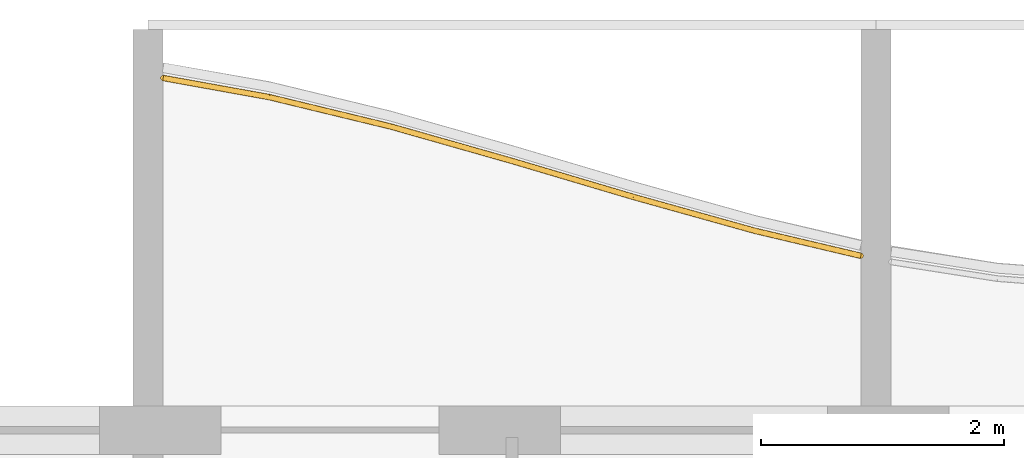
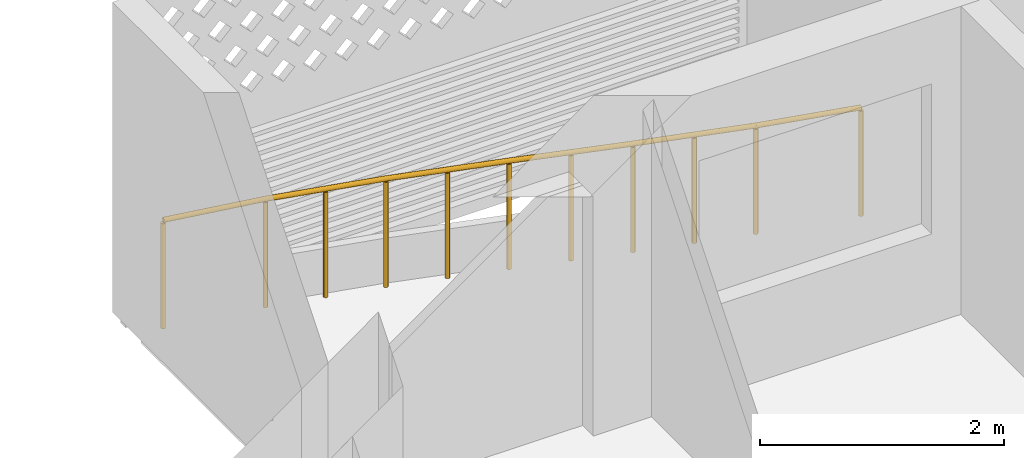
# One storey, part 21 of 28: 1 railing.
"""IFC4 building model written with IfcOpenShell, lengths in metres."""

from ifc_helpers import new_model, si_unit, direction, frame, origin, origin_2d, place, context, subcontext, project, spatial, circle, extrude, material, type_object, element, save


model = new_model("IFC4")

# Units and contexts
model_context = context("Model", 3, precision=1e-05, world=origin(), true_north=direction((0.0, 1.0)))
body_context = subcontext(model_context, "Body", "Model", "MODEL_VIEW")
ifc_project = project(units=[si_unit("LENGTHUNIT", "METRE"), si_unit("AREAUNIT", "SQUARE_METRE"), si_unit("VOLUMEUNIT", "CUBIC_METRE"), si_unit("PLANEANGLEUNIT", "RADIAN"), si_unit("MASSUNIT", "GRAM", prefix="KILO")], contexts=[model_context])

# Site, building, storey
site_placement = place(None, origin())
site = spatial("IfcSite", under=ifc_project, at=site_placement, CompositionType="ELEMENT")
building_placement = place(site_placement, origin())
building = spatial("IfcBuilding", under=site, at=building_placement, Name="Poui Terraces", CompositionType="ELEMENT")
storey_placement = place(building_placement, frame((0.0, 0.0, 185.10009765625)))
storey = spatial("IfcBuildingStorey", under=building, at=storey_placement, Name="L51", CompositionType="ELEMENT", Elevation=185.10009765625)

# Railing
ifc_material = material(Name="Painted steel fretwork", Category="steel")
railing_type = type_object("IfcRailingType", Name="BALCONY GUARD 1100", PredefinedType="GUARDRAIL", material=ifc_material)
railing_placement = place(storey_placement, frame((54.125, 44.102294921875, 0.0)))
element("IfcRailing", 1, at=railing_placement, inside=storey, type_object=railing_type, Name="BALCONY GUARD", PredefinedType="GUARDRAIL", context=body_context, shape_type="SweptSolid", body=[
    extrude(circle(Radius=0.02392578125, at=origin_2d()), frame((0.0, 0.0, 1.076171875), z_axis=(0.984141165645, -0.17738705162, 0.0), x_axis=(0.17738705162, 0.984141165645, 0.0)), (0.0, 0.0, 1.0), 0.88916015625),
    extrude(circle(Radius=0.02392578125, at=origin_2d()), frame((0.875, -0.15771484375, 1.076171875), z_axis=(0.97195702449, -0.235158547673, 0.0), x_axis=(0.235158547673, 0.97195702449, 0.0)), (0.0, 0.0, 1.0), 1.02880859375),
    extrude(circle(Radius=0.02392578125, at=origin_2d()), frame((1.875, -0.399658203125, 1.076171875), z_axis=(0.961974635381, -0.273138794177, 0.0), x_axis=(0.273138794177, 0.961974635381, 0.0)), (0.0, 0.0, 1.0), 1.03955078125),
    extrude(circle(Radius=0.02392578125, at=origin_2d()), frame((2.875, -0.68359375, 1.076171875), z_axis=(0.958774495191, -0.284168026651, 0.0), x_axis=(0.284168026651, 0.958774495191, 0.0)), (0.0, 0.0, 1.0), 1.04296875),
    extrude(circle(Radius=0.02392578125, at=origin_2d()), frame((3.875, -0.97998046875, 1.076171875), z_axis=(0.963200548895, -0.268783746921, 0.0), x_axis=(0.268783746921, 0.963200548895, 0.0)), (0.0, 0.0, 1.0), 1.0380859375),
    extrude(circle(Radius=0.02392578125, at=origin_2d()), frame((4.875, -1.259033203125, 1.076171875), z_axis=(0.973253095993, -0.229735524333, 0.0), x_axis=(0.229735524333, 0.973253095993, 0.0)), (0.0, 0.0, 1.0), 0.89892578125),
    extrude(circle(Radius=0.02099609375, at=origin_2d()), origin(), (0.0, 0.0, 1.0), 1.052001953125),
    extrude(circle(Radius=0.02099609375, at=origin_2d()), frame((0.875, -0.15771484375, 0.0)), (0.0, 0.0, 1.0), 1.052001953125),
    extrude(circle(Radius=0.02099609375, at=origin_2d()), frame((1.375, -0.27880859375, 0.0)), (0.0, 0.0, 1.0), 1.052001953125),
    extrude(circle(Radius=0.02099609375, at=origin_2d()), frame((1.875, -0.399658203125, 0.0)), (0.0, 0.0, 1.0), 1.052001953125),
    extrude(circle(Radius=0.02099609375, at=origin_2d()), frame((2.375, -0.54150390625, 0.0)), (0.0, 0.0, 1.0), 1.052001953125),
    extrude(circle(Radius=0.02099609375, at=origin_2d()), frame((2.875, -0.68359375, 0.0)), (0.0, 0.0, 1.0), 1.052001953125),
    extrude(circle(Radius=0.02099609375, at=origin_2d()), frame((3.375, -0.831787109375, 0.0)), (0.0, 0.0, 1.0), 1.052001953125),
    extrude(circle(Radius=0.02099609375, at=origin_2d()), frame((3.875, -0.97998046875, 0.0)), (0.0, 0.0, 1.0), 1.052001953125),
    extrude(circle(Radius=0.02099609375, at=origin_2d()), frame((4.375, -1.11962890625, 0.0)), (0.0, 0.0, 1.0), 1.052001953125),
    extrude(circle(Radius=0.02099609375, at=origin_2d()), frame((4.875, -1.259033203125, 0.0)), (0.0, 0.0, 1.0), 1.052001953125),
    extrude(circle(Radius=0.02099609375, at=origin_2d()), frame((5.75, -1.465576171875, 0.0)), (0.0, 0.0, 1.0), 1.052001953125),
])

save(model, "model.ifc")
